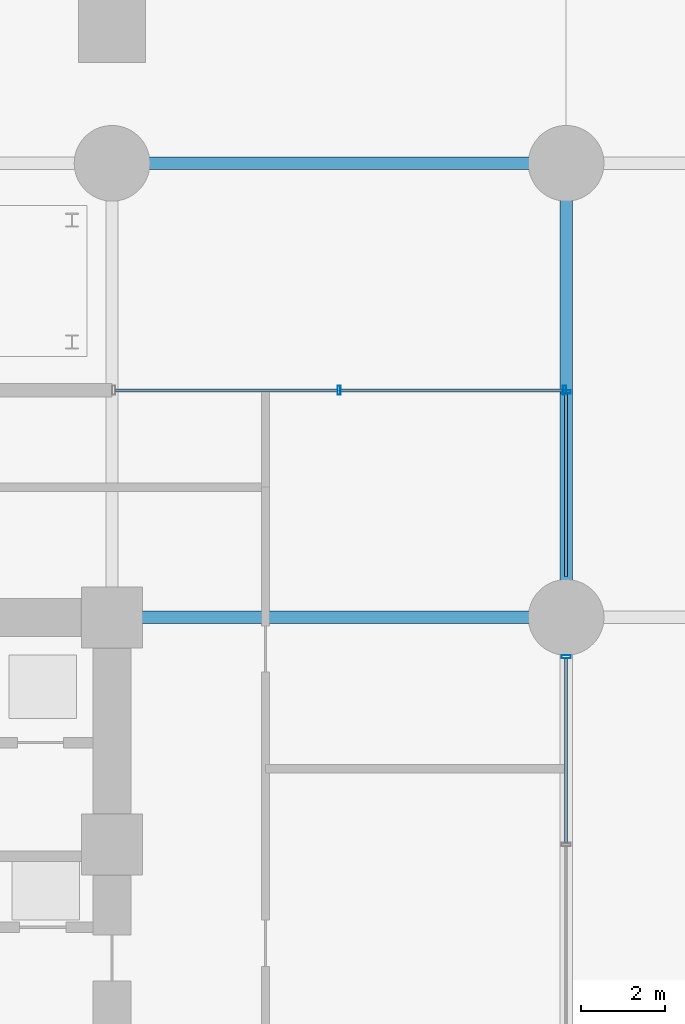
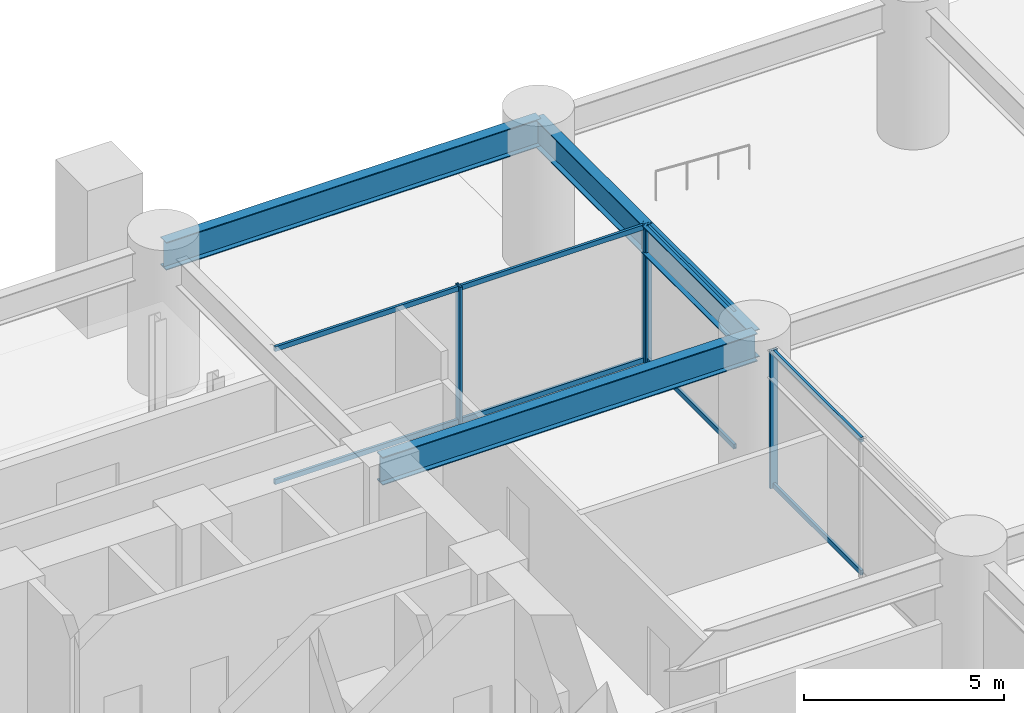
# One storey, part 17 of 29: 12 members, 3 beams, 2 elements without a shape of their own.
"""IFC4 building model written with IfcOpenShell, lengths in metres."""

from ifc_helpers import new_model, si_unit, direction, frame, origin, origin_2d, place, context, subcontext, project, spatial, hollow_rectangle, i_section, extrude, material, layer, layer_set, material_profile, profile_set, type_object, element, aggregate, save


model = new_model("IFC4")

# Units and contexts
model_context = context("Model", 3, precision=1e-05, world=origin(), true_north=direction((0.0, 1.0)))
body_context = subcontext(model_context, "Body", "Model", "MODEL_VIEW")
ifc_project = project(units=[si_unit("LENGTHUNIT", "METRE"), si_unit("AREAUNIT", "SQUARE_METRE"), si_unit("VOLUMEUNIT", "CUBIC_METRE"), si_unit("PLANEANGLEUNIT", "RADIAN"), si_unit("MASSUNIT", "GRAM", prefix="KILO")], contexts=[model_context])

# Site, building, storey
site_placement = place(None, origin())
site = spatial("IfcSite", under=ifc_project, at=site_placement, CompositionType="ELEMENT")
building_placement = place(site_placement, origin())
building = spatial("IfcBuilding", under=site, at=building_placement, Name="Surkhivell Harbour Commons", CompositionType="ELEMENT")
storey_placement = place(building_placement, origin())
storey = spatial("IfcBuildingStorey", under=building, at=storey_placement, Name="L00", CompositionType="ELEMENT", Elevation=0.0)

# Beams
ifc_material_1 = material(Name="Steel S460", Category="steel")
ifc_material_profile_1 = material_profile(ifc_material_1, i_section(OverallWidth=0.2939453125, OverallDepth=0.85107421875, WebThickness=0.01611328125, FlangeThickness=0.02685546875, at=origin_2d()), Name="UB838x292x226")
ifc_profile_set_1 = profile_set([ifc_material_profile_1], Name="Steel S460")
beam_type = type_object("IfcBeamType", Name="BM-SPN-838", PredefinedType="SPANDREL", material=ifc_profile_set_1)
for number, where, z_axis, x_axis, name in (
    (1, (10.800048828125, 10.800048828125, 3.7744140625), (1.0, 0.0, 0.0), (0.0, 1.0, 0.0), "L00 Framing Beam (10.8,10.8)"),
    (2, (10.800048828125, 21.60009765625, 3.7744140625), (1.0, 0.0, 0.0), (0.0, 1.0, 0.0), "L00 Framing Beam (10.8,21.6)"),
    (3, (21.60009765625, 10.800048828125, 3.7744140625), (0.0, 1.0, 0.0), (-1.0, 0.0, 0.0), "L00 Framing Beam (21.6,10.8)"),
):
    element("IfcBeam", number, at=place(storey_placement, frame(where, z_axis=z_axis, x_axis=x_axis)), inside=storey, type_object=beam_type, Name=name, PredefinedType="SPANDREL", context=body_context, shape_type="SweptSolid", body=[
        extrude(i_section(OverallWidth=0.2939453125, OverallDepth=0.85107421875, WebThickness=0.01611328125, FlangeThickness=0.02685546875, at=origin_2d()), origin(), (0.0, 0.0, 1.0), 10.800048828125),
    ])

# Curtain wall, members
ifc_material_2 = material(Name="Anodised pale-metal aluminium and insulated glazing", Category="aluminium")
ifc_layer = layer(ifc_material_2, 0.239990234375)
ifc_layer_set = layer_set([ifc_layer], Name="Anodised pale-metal aluminium and insulated glazing")
curtain_wall_type = type_object("IfcCurtainWallType", Name="CW-SYS-POD", PredefinedType="NOTDEFINED", material=ifc_layer_set)
curtain_wall_1_placement = place(storey_placement, origin())
curtain_wall_1 = element("IfcCurtainWall", 4, at=curtain_wall_1_placement, inside=storey, type_object=curtain_wall_type, Name="L00 Curtain Wall CW-L00-P04", PredefinedType="NOTDEFINED")
ifc_material_3 = material(Name="Anodised pale-metal aluminium alloy 6063-T6", Category="aluminium")
ifc_material_profile_2 = material_profile(ifc_material_3, hollow_rectangle(XDim=0.074951171875, YDim=0.219970703125, WallThickness=0.00390625, at=origin_2d()), Name="ALU-MULL-75x220")
ifc_profile_set_2 = profile_set([ifc_material_profile_2], Name="Anodised pale-metal aluminium alloy 6063-T6")
member_type_1 = type_object("IfcMemberType", Name="CWM-220", PredefinedType="MULLION", material=ifc_profile_set_2)
member_1_placement = place(storey_placement, frame((16.199951171875, 16.199951171875, 0.0), z_axis=(0.0, 0.0, 1.0), x_axis=(1.0, 0.0, 0.0)))
member_1 = element("IfcMember", 5, at=member_1_placement, type_object=member_type_1, Name="CW-POD mullion 2", PredefinedType="MULLION", context=body_context, shape_type="SweptSolid", body=[
    extrude(hollow_rectangle(XDim=0.074951171875, YDim=0.219970703125, WallThickness=0.00390625, at=origin_2d()), origin(), (0.0, 0.0, 1.0), 4.199951171875),
])
member_2_placement = place(storey_placement, frame((21.5625, 16.199951171875, 0.0), z_axis=(0.0, 0.0, 1.0), x_axis=(1.0, 0.0, 0.0)))
member_2 = element("IfcMember", 6, at=member_2_placement, type_object=member_type_1, Name="CW-POD mullion 3", PredefinedType="MULLION", context=body_context, shape_type="SweptSolid", body=[
    extrude(hollow_rectangle(XDim=0.074951171875, YDim=0.219970703125, WallThickness=0.00390625, at=origin_2d()), origin(), (0.0, 0.0, 1.0), 4.199951171875),
])

curtain_wall_2_placement = place(storey_placement, origin())
curtain_wall_2 = element("IfcCurtainWall", 7, at=curtain_wall_2_placement, inside=storey, type_object=curtain_wall_type, Name="L00 Curtain Wall CW-L00-P06", PredefinedType="NOTDEFINED")
member_3_placement = place(storey_placement, frame((21.60009765625, 16.16259765625, 0.0), z_axis=(0.0, 0.0, 1.0), x_axis=(0.0, -1.0, 0.0)))
member_3 = element("IfcMember", 8, at=member_3_placement, type_object=member_type_1, Name="CW-POD mullion 1", PredefinedType="MULLION", context=body_context, shape_type="SweptSolid", body=[
    extrude(hollow_rectangle(XDim=0.074951171875, YDim=0.219970703125, WallThickness=0.00390625, at=origin_2d()), origin(), (0.0, 0.0, 1.0), 4.199951171875),
])
member_4_placement = place(storey_placement, frame((21.60009765625, 9.860595703125, 0.0), z_axis=(0.0, 0.0, 1.0), x_axis=(0.0, -1.0, 0.0)))
member_4 = element("IfcMember", 9, at=member_4_placement, type_object=member_type_1, Name="CW-POD mullion 2", PredefinedType="MULLION", context=body_context, shape_type="SweptSolid", body=[
    extrude(hollow_rectangle(XDim=0.074951171875, YDim=0.219970703125, WallThickness=0.00390625, at=origin_2d()), origin(), (0.0, 0.0, 1.0), 4.199951171875),
])

# Member
ifc_material_profile_3 = material_profile(ifc_material_3, hollow_rectangle(XDim=0.074951171875, YDim=0.14990234375, WallThickness=0.00341796875, at=origin_2d()), Name="ALU-TRAN-75x150")
ifc_profile_set_3 = profile_set([ifc_material_profile_3], Name="Anodised pale-metal aluminium alloy 6063-T6")
member_type_2 = type_object("IfcMemberType", Name="CWT-150", PredefinedType="USERDEFINED", material=ifc_profile_set_3)
member_5_placement = place(storey_placement, frame((10.875, 16.199951171875, 0.074951171875), z_axis=(1.0, 0.0, 0.0), x_axis=(0.0, 1.0, 0.0)))
member_5 = element("IfcMember", 10, at=member_5_placement, type_object=member_type_2, Name="CW-POD transom 1.1", ObjectType="TRANSOM", PredefinedType="USERDEFINED", context=body_context, shape_type="SweptSolid", body=[
    extrude(hollow_rectangle(XDim=0.074951171875, YDim=0.14990234375, WallThickness=0.00341796875, at=origin_2d()), origin(), (0.0, 0.0, 1.0), 5.28759765625),
])

member_6_placement = place(storey_placement, frame((10.875, 16.199951171875, 4.125), z_axis=(1.0, 0.0, 0.0), x_axis=(0.0, 1.0, 0.0)))
member_6 = element("IfcMember", 11, at=member_6_placement, type_object=member_type_2, Name="CW-POD transom 1.2", ObjectType="TRANSOM", PredefinedType="USERDEFINED", context=body_context, shape_type="SweptSolid", body=[
    extrude(hollow_rectangle(XDim=0.074951171875, YDim=0.14990234375, WallThickness=0.00341796875, at=origin_2d()), origin(), (0.0, 0.0, 1.0), 5.28759765625),
])

member_7_placement = place(storey_placement, frame((16.237548828125, 16.199951171875, 0.074951171875), z_axis=(1.0, 0.0, 0.0), x_axis=(0.0, 1.0, 0.0)))
member_7 = element("IfcMember", 12, at=member_7_placement, type_object=member_type_2, Name="CW-POD transom 2.1", ObjectType="TRANSOM", PredefinedType="USERDEFINED", context=body_context, shape_type="SweptSolid", body=[
    extrude(hollow_rectangle(XDim=0.074951171875, YDim=0.14990234375, WallThickness=0.00341796875, at=origin_2d()), origin(), (0.0, 0.0, 1.0), 5.287353515625),
])

member_8_placement = place(storey_placement, frame((16.237548828125, 16.199951171875, 4.125), z_axis=(1.0, 0.0, 0.0), x_axis=(0.0, 1.0, 0.0)))
member_8 = element("IfcMember", 13, at=member_8_placement, type_object=member_type_2, Name="CW-POD transom 2.2", ObjectType="TRANSOM", PredefinedType="USERDEFINED", context=body_context, shape_type="SweptSolid", body=[
    extrude(hollow_rectangle(XDim=0.074951171875, YDim=0.14990234375, WallThickness=0.00341796875, at=origin_2d()), origin(), (0.0, 0.0, 1.0), 5.287353515625),
])

aggregate(curtain_wall_1, [member_1, member_2, member_5, member_6, member_7, member_8])

member_9_placement = place(storey_placement, frame((21.60009765625, 16.125, 0.074951171875), z_axis=(0.0, -1.0, 0.0), x_axis=(1.0, 0.0, 0.0)))
member_9 = element("IfcMember", 14, at=member_9_placement, type_object=member_type_2, Name="CW-POD transom 1.1", ObjectType="TRANSOM", PredefinedType="USERDEFINED", context=body_context, shape_type="SweptSolid", body=[
    extrude(hollow_rectangle(XDim=0.074951171875, YDim=0.14990234375, WallThickness=0.00341796875, at=origin_2d()), origin(), (0.0, 0.0, 1.0), 4.347900390625),
])

member_10_placement = place(storey_placement, frame((21.60009765625, 16.125, 4.125), z_axis=(0.0, -1.0, 0.0), x_axis=(1.0, 0.0, 0.0)))
member_10 = element("IfcMember", 15, at=member_10_placement, type_object=member_type_2, Name="CW-POD transom 1.2", ObjectType="TRANSOM", PredefinedType="USERDEFINED", context=body_context, shape_type="SweptSolid", body=[
    extrude(hollow_rectangle(XDim=0.074951171875, YDim=0.14990234375, WallThickness=0.00341796875, at=origin_2d()), origin(), (0.0, 0.0, 1.0), 4.347900390625),
])

member_11_placement = place(storey_placement, frame((21.60009765625, 9.822998046875, 0.074951171875), z_axis=(0.0, -1.0, 0.0), x_axis=(1.0, 0.0, 0.0)))
member_11 = element("IfcMember", 16, at=member_11_placement, type_object=member_type_2, Name="CW-POD transom 2.1", ObjectType="TRANSOM", PredefinedType="USERDEFINED", context=body_context, shape_type="SweptSolid", body=[
    extrude(hollow_rectangle(XDim=0.074951171875, YDim=0.14990234375, WallThickness=0.00341796875, at=origin_2d()), origin(), (0.0, 0.0, 1.0), 4.385498046875),
])

member_12_placement = place(storey_placement, frame((21.60009765625, 9.822998046875, 4.125), z_axis=(0.0, -1.0, 0.0), x_axis=(1.0, 0.0, 0.0)))
member_12 = element("IfcMember", 17, at=member_12_placement, type_object=member_type_2, Name="CW-POD transom 2.2", ObjectType="TRANSOM", PredefinedType="USERDEFINED", context=body_context, shape_type="SweptSolid", body=[
    extrude(hollow_rectangle(XDim=0.074951171875, YDim=0.14990234375, WallThickness=0.00341796875, at=origin_2d()), origin(), (0.0, 0.0, 1.0), 4.385498046875),
])

aggregate(curtain_wall_2, [member_3, member_9, member_10, member_4, member_11, member_12])

save(model, "model.ifc")
